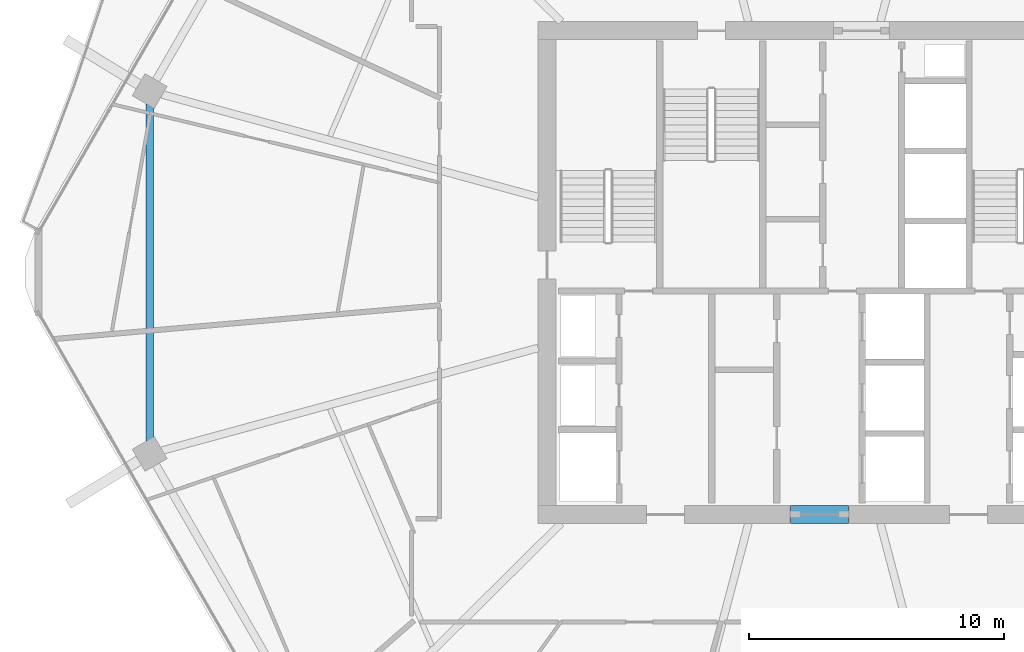
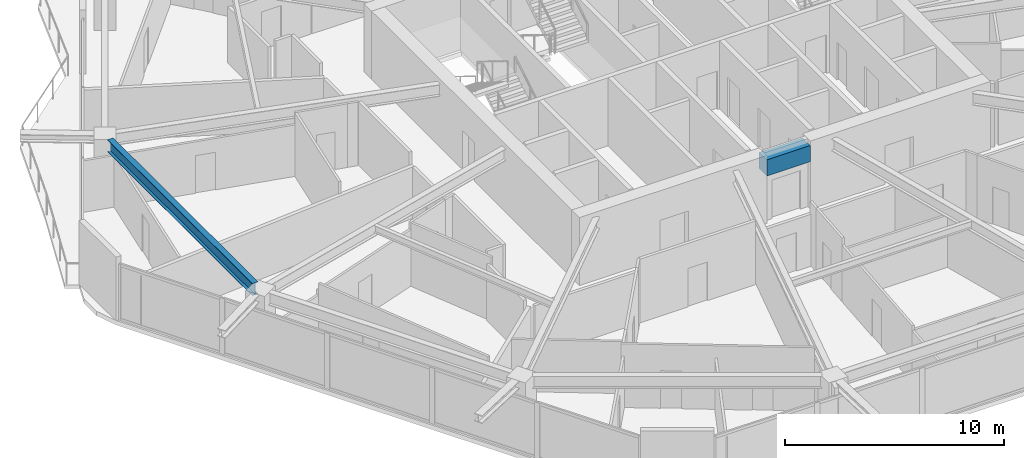
# One storey, part 6 of 26: 2 beams.
"""IFC4 building model written with IfcOpenShell, lengths in metres."""

import ifcopenshell
import ifcopenshell.guid

model = None  # the IFC model being written
_history = None  # IfcOwnerHistory: only IFC2X3 demands one
_inside = {}  # id of a spatial element -> (the spatial element, [elements in it])
_under = {}  # id of a project, library or spatial element -> (it, [spatial elements below it])
_declared = {}  # id of a project -> (the project, [libraries it declares])
_typed = {}  # id of a type object -> (the type object, [elements of that type])
_made_of = {}  # id of a material, layer set ... -> (it, [elements and type objects made of it])


def new_model(schema):
    """Start an empty IFC model of exactly this schema.

    Asked for "IFC4X3", IfcOpenShell would pick the latest addendum, in which some entities
    have other attributes; the version numbers below select the first issue.
    IFC2X3 requires an IfcOwnerHistory on every rooted entity: one is made here for all.
    """
    global model, _history
    if schema == "IFC4X3":
        model = ifcopenshell.file(schema_version=(4, 3, 0, 0))
    else:
        model = ifcopenshell.file(schema=schema)
    _inside.clear()
    _under.clear()
    _declared.clear()
    _typed.clear()
    _made_of.clear()
    _history = None
    if model.schema == "IFC2X3":
        org = make("IfcOrganization", Name="unknown")
        user = make(
            "IfcPersonAndOrganization",
            ThePerson=make("IfcPerson", FamilyName="unknown"),
            TheOrganization=org,
        )
        app = make(
            "IfcApplication",
            ApplicationDeveloper=org,
            Version="unknown",
            ApplicationFullName="unknown",
            ApplicationIdentifier="unknown",
        )
        _history = make(
            "IfcOwnerHistory",
            OwningUser=user,
            OwningApplication=app,
            ChangeAction="ADDED",
            CreationDate=0,
        )
    return model


def make(cls, **values):
    """One entity of the class cls with the attributes given. An attribute that is None is left unset."""
    return model.create_entity(
        cls, **{name: value for name, value in values.items() if value is not None}
    )


def rooted(cls, **values):
    """An entity with a GlobalId (a new one), such as an element, a storey or a relation."""
    return make(cls, GlobalId=ifcopenshell.guid.new(), OwnerHistory=_history, **values)


def si_unit(unit_type, name, prefix=None):
    """IfcSIUnit, for example si_unit("LENGTHUNIT", "METRE", prefix="MILLI")."""
    return make("IfcSIUnit", UnitType=unit_type, Prefix=prefix, Name=name)


def assignment(units):
    """IfcUnitAssignment: the units of a project."""
    return None if units is None else make("IfcUnitAssignment", Units=units)


def point(xyz):
    """IfcCartesianPoint."""
    return None if xyz is None else make("IfcCartesianPoint", Coordinates=xyz)


def direction(xyz):
    """IfcDirection."""
    return None if xyz is None else make("IfcDirection", DirectionRatios=xyz)


def frame(location, z_axis=None, x_axis=None):
    """IfcAxis2Placement3D, a coordinate frame: its origin and axes. An axis left out is left unset."""
    return make(
        "IfcAxis2Placement3D",
        Location=point(location),
        Axis=direction(z_axis),
        RefDirection=direction(x_axis),
    )


def frame_2d(location, x_axis=None):
    """IfcAxis2Placement2D, a coordinate frame in the plane: its origin and x axis."""
    return make(
        "IfcAxis2Placement2D", Location=point(location), RefDirection=direction(x_axis)
    )


def origin():
    """The frame at (0, 0, 0) with its axes left unset."""
    return frame((0.0, 0.0, 0.0))


def origin_2d():
    """The frame at (0, 0) in the plane with its x axis left unset."""
    return frame_2d((0.0, 0.0))


def place(relative_to, where):
    """IfcLocalPlacement: puts the frame where relative to a parent placement (None: the world)."""
    return make(
        "IfcLocalPlacement", PlacementRelTo=relative_to, RelativePlacement=where
    )


def context(
    kind, dimensions, precision=None, world=None, true_north=None, identifier=None
):
    """IfcGeometricRepresentationContext, for example the 3D "Model" context."""
    return make(
        "IfcGeometricRepresentationContext",
        ContextIdentifier=identifier,
        ContextType=kind,
        CoordinateSpaceDimension=dimensions,
        Precision=precision,
        WorldCoordinateSystem=world,
        TrueNorth=true_north,
    )


def subcontext(parent, identifier, kind, view, scale=None):
    """IfcGeometricRepresentationSubContext, for example "Body" below "Model"."""
    return make(
        "IfcGeometricRepresentationSubContext",
        ContextIdentifier=identifier,
        ContextType=kind,
        ParentContext=parent,
        TargetScale=scale,
        TargetView=view,
    )


def project(units=None, contexts=None):
    """IfcProject with its units and contexts."""
    return rooted(
        "IfcProject",
        Name="project",
        RepresentationContexts=contexts,
        UnitsInContext=assignment(units),
    )


def spatial(cls, under=None, at=None, **own):
    """A site, building, storey or space (cls), placed at a placement, below another one or the project."""
    s = rooted(cls, ObjectPlacement=at, **own)
    if under is not None:
        _under.setdefault(under.id(), (under, []))[1].append(s)
    return s


def profile(cls, at=None, kind="AREA", **sizes):
    """A parametric profile (cls). Its sizes go by their IFC names, for example OverallWidth=200.0."""
    return make(cls, ProfileType=kind, Position=at, **sizes)


def rectangle(**sizes):
    """IfcRectangleProfileDef."""
    return profile("IfcRectangleProfileDef", **sizes)


def i_section(**sizes):
    """IfcIShapeProfileDef."""
    return profile("IfcIShapeProfileDef", **sizes)


def extrude(swept, where, along, depth):
    """IfcExtrudedAreaSolid: the profile swept, set in the frame where, extruded along a direction by depth."""
    return make(
        "IfcExtrudedAreaSolid",
        SweptArea=swept,
        Position=where,
        ExtrudedDirection=direction(along),
        Depth=depth,
    )


def shape(context_of_items, identifier, shape_type, items):
    """IfcShapeRepresentation: the items that make up one representation, for example the "Body"."""
    return make(
        "IfcShapeRepresentation",
        ContextOfItems=context_of_items,
        RepresentationIdentifier=identifier,
        RepresentationType=shape_type,
        Items=items,
    )


def material(Name=None, Category=None):
    """IfcMaterial."""
    return make("IfcMaterial", Name=Name, Category=Category)


def material_profile(
    of_material, cross_section, Name=None, Category=None, Priority=None
):
    """IfcMaterialProfile: a cross section and its material."""
    return make(
        "IfcMaterialProfile",
        Name=Name,
        Material=of_material,
        Profile=cross_section,
        Priority=Priority,
        Category=Category,
    )


def profile_set(profiles, Name=None, composite=None):
    """IfcMaterialProfileSet."""
    return make(
        "IfcMaterialProfileSet",
        Name=Name,
        MaterialProfiles=profiles,
        CompositeProfile=composite,
    )


def made_of(thing, what):
    """Note that an element or type object is made of a material, layer set ...; save() writes the relation."""
    if what is not None:
        _made_of.setdefault(what.id(), (what, []))[1].append(thing)
    return thing


def type_object(cls, material=None, **own):
    """A type object (cls), such as IfcWallType, which elements share."""
    return made_of(rooted(cls, **own), material)


def element(
    cls,
    number,
    at=None,
    inside=None,
    cuts=None,
    type_object=None,
    material=None,
    context=None,
    identifier="Body",
    shape_type=None,
    held_by="IfcProductDefinitionShape",
    body=None,
    shapes=None,
    **own,
):
    """One element of the class cls, such as IfcWall. Its Tag is "e" and its number.

    at: its placement. inside: the storey or other place that contains it. cuts: it is an
    opening in that element (IfcRelVoidsElement). A single representation is given by context,
    identifier, shape_type and body (its items); several are given by shapes. held_by: the class
    of the entity that holds the representations. save() writes the other relations.
    """
    e = rooted(cls, Tag="e%d" % number, ObjectPlacement=at, **own)
    if body is not None:
        shapes = [shape(context, identifier, shape_type, body)]
    if shapes is not None:
        e.Representation = make(held_by, Representations=shapes)
    if inside is not None:
        _inside.setdefault(inside.id(), (inside, []))[1].append(e)
    if cuts is not None:
        rooted(
            "IfcRelVoidsElement", RelatingBuildingElement=cuts, RelatedOpeningElement=e
        )
    if type_object is not None:
        _typed.setdefault(type_object.id(), (type_object, []))[1].append(e)
    return made_of(e, material)


def aggregate(whole, parts):
    """IfcRelAggregates: a whole, such as a stair, and the parts it consists of."""
    return rooted("IfcRelAggregates", RelatingObject=whole, RelatedObjects=parts)


def save(model, path):
    """Write the relations noted so far, then the file.

    IfcRelAggregates (storeys below a building ...), IfcRelContainedInSpatialStructure (elements
    in a storey), IfcRelDefinesByType, IfcRelAssociatesMaterial and IfcRelDeclares: one each for
    every whole, place, type object, material and project.
    """
    for whole, parts in _under.values():
        aggregate(whole, parts)
    for where, things in _inside.values():
        rooted(
            "IfcRelContainedInSpatialStructure",
            RelatedElements=things,
            RelatingStructure=where,
        )
    for kind, things in _typed.values():
        rooted("IfcRelDefinesByType", RelatedObjects=things, RelatingType=kind)
    for what, things in _made_of.values():
        rooted("IfcRelAssociatesMaterial", RelatedObjects=things, RelatingMaterial=what)
    for by, libraries in _declared.values():
        rooted("IfcRelDeclares", RelatingContext=by, RelatedDefinitions=libraries)
    model.write(path)


model = new_model("IFC4")

# Units and contexts
model_context = context("Model", 3, precision=1e-05, world=origin(), true_north=direction((0.0, 1.0)))
body_context = subcontext(model_context, "Body", "Model", "MODEL_VIEW")
ifc_project = project(units=[si_unit("LENGTHUNIT", "METRE"), si_unit("AREAUNIT", "SQUARE_METRE"), si_unit("VOLUMEUNIT", "CUBIC_METRE"), si_unit("PLANEANGLEUNIT", "RADIAN"), si_unit("MASSUNIT", "GRAM", prefix="KILO")], contexts=[model_context])

# Site, building, storey
site_placement = place(None, origin())
site = spatial("IfcSite", under=ifc_project, at=site_placement, CompositionType="ELEMENT")
building_placement = place(site_placement, origin())
building = spatial("IfcBuilding", under=site, at=building_placement, Name="Zuhravey Tower", CompositionType="ELEMENT")
storey_placement = place(building_placement, frame((0.0, 0.0, 165.60009765625)))
storey = spatial("IfcBuildingStorey", under=building, at=storey_placement, Name="L41", CompositionType="ELEMENT", Elevation=165.60009765625)

# Beams
ifc_material_1 = material(Name="Concrete C60/75", Category="concrete")
ifc_material_profile_1 = material_profile(ifc_material_1, rectangle(XDim=0.699951171875, YDim=0.89990234375, at=origin_2d()), Name="RC-700x900")
ifc_profile_set_1 = profile_set([ifc_material_profile_1], Name="Concrete C60/75")
beam_type_1 = type_object("IfcBeamType", Name="Core Coupling Beam RC700x900", PredefinedType="LINTEL", material=ifc_profile_set_1)
beam_1_placement = place(storey_placement, frame((35.052001953125, 22.5, 3.099853515625), z_axis=(1.0, 0.0, 0.0), x_axis=(0.0, 1.0, 0.0)))
element("IfcBeam", 1, at=beam_1_placement, inside=storey, type_object=beam_type_1, Name="L41 CB1 BM-L41-CB-S", PredefinedType="LINTEL", context=body_context, shape_type="SweptSolid", body=[
    extrude(rectangle(XDim=0.699951171875, YDim=0.89990234375, at=origin_2d()), origin(), (0.0, 0.0, 1.0), 2.2958984375),
])
ifc_material_2 = material(Name="Steel SM355", Category="steel")
ifc_material_profile_2 = material_profile(ifc_material_2, i_section(OverallWidth=0.300048828125, OverallDepth=0.679931640625, WebThickness=0.012939453125, FlangeThickness=0.02197265625, at=origin_2d()), Name="H-680x300x13x22")
ifc_profile_set_2 = profile_set([ifc_material_profile_2], Name="Steel SM355")
beam_type_2 = type_object("IfcBeamType", Name="Perimeter Ring Beam H680x300", PredefinedType="BEAM", material=ifc_profile_set_2)
beam_2_placement = place(storey_placement, frame((9.892333984375, 38.62353515625, 3.2099609375), z_axis=(0.0, -1.0, 0.0), x_axis=(1.0, 0.0, 0.0)))
element("IfcBeam", 2, at=beam_2_placement, inside=storey, type_object=beam_type_2, Name="L41 PB2 BM-L41-PB-06", PredefinedType="BEAM", context=body_context, shape_type="SweptSolid", body=[
    extrude(i_section(OverallWidth=0.300048828125, OverallDepth=0.679931640625, WebThickness=0.012939453125, FlangeThickness=0.02197265625, at=origin_2d()), origin(), (0.0, 0.0, 1.0), 13.2470703125),
])

save(model, "model.ifc")
